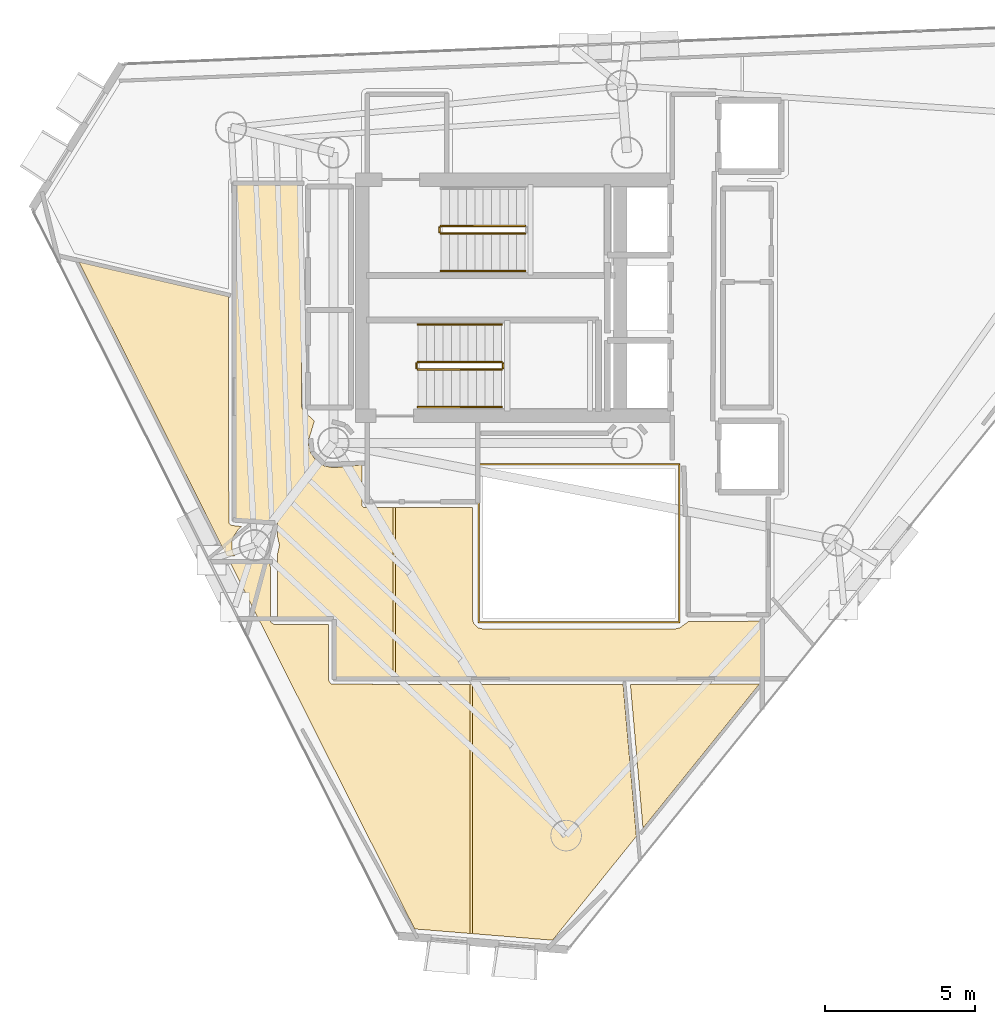
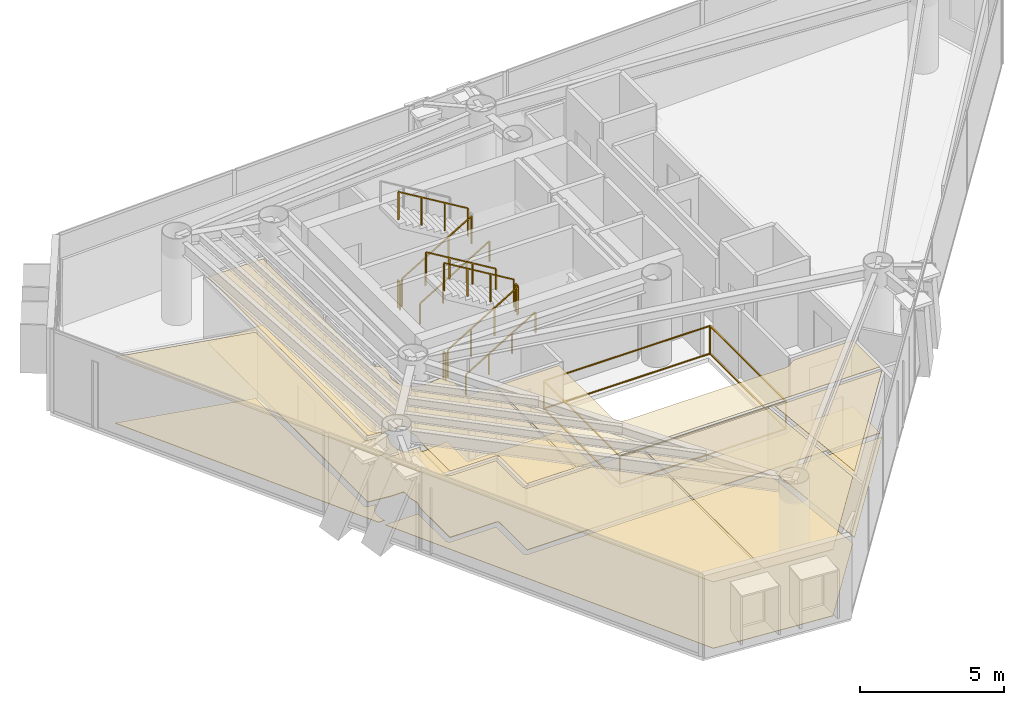
# One storey, part 17 of 19: 11 railings, 10 coverings.
"""IFC4 building model written with IfcOpenShell, lengths in metres."""

from ifc_helpers import new_model, si_unit, direction, frame, origin, origin_2d, place, context, subcontext, project, spatial, polyline, rectangle, outline, extrude, material, layer, layer_set, type_object, element, save


model = new_model("IFC4")

# Units and contexts
model_context = context("Model", 3, precision=1e-05, world=origin(), true_north=direction((0.0, 1.0)))
body_context = subcontext(model_context, "Body", "Model", "MODEL_VIEW")
ifc_project = project(units=[si_unit("LENGTHUNIT", "METRE"), si_unit("AREAUNIT", "SQUARE_METRE"), si_unit("VOLUMEUNIT", "CUBIC_METRE"), si_unit("PLANEANGLEUNIT", "RADIAN"), si_unit("MASSUNIT", "GRAM", prefix="KILO")], contexts=[model_context])

# Site, building, storey
site_placement = place(None, origin())
site = spatial("IfcSite", under=ifc_project, at=site_placement, CompositionType="ELEMENT")
building_placement = place(site_placement, origin())
building = spatial("IfcBuilding", under=site, at=building_placement, Name="Qianvela Tower", CompositionType="ELEMENT")
storey_placement = place(building_placement, frame((0.0, 0.0, 261.199951171875)))
storey = spatial("IfcBuildingStorey", under=building, at=storey_placement, Name="L67", CompositionType="ELEMENT", Elevation=261.199951171875)

# Coverings
ifc_material_1 = material(Name="Perforated Mineral Acoustic Ceiling Tile")
ifc_layer_1 = layer(ifc_material_1, 0.02490234375)
ifc_layer_set_1 = layer_set([ifc_layer_1], Name="Perforated Mineral Acoustic Ceiling Tile")
covering_type_1 = type_object("IfcCoveringType", Name="COV-CEIL-ACOUSTIC-25", PredefinedType="CEILING", material=ifc_layer_set_1)
covering_1_placement = place(storey_placement, frame((0.0, 0.0, 2.81494140625)))
element("IfcCovering", 1, at=covering_1_placement, inside=storey, type_object=covering_type_1, Name="L67 Acoustic Ceiling Bay 1 L67 Floor Corridor", PredefinedType="CEILING", context=body_context, shape_type="SweptSolid", body=[
    extrude(outline(polyline([(27.791015625, 24.010986328125), (27.789794921875, 24.003173828125), (27.775390625, 23.85791015625), (27.77490234375, 23.85009765625), (27.775390625, 23.84228515625), (27.776611328125, 23.83447265625), (27.833251953125, 23.54931640625), (27.835205078125, 23.541748046875), (27.837890625, 23.5341796875), (27.84130859375, 23.527099609375), (27.84521484375, 23.5205078125), (28.006591796875, 23.27880859375), (28.011474609375, 23.2724609375), (28.0166015625, 23.2666015625), (28.0224609375, 23.261474609375), (28.02880859375, 23.256591796875), (28.2705078125, 23.09521484375), (28.277099609375, 23.09130859375), (28.2841796875, 23.087890625), (28.291748046875, 23.085205078125), (28.29931640625, 23.083251953125), (28.58447265625, 23.026611328125), (28.59228515625, 23.025390625), (28.60009765625, 23.02490234375), (28.60791015625, 23.025390625), (29.55810546875, 23.118896484375), (29.55810546875, 21.780029296875), (29.558349609375, 21.772216796875), (29.5595703125, 21.764404296875), (29.561279296875, 21.7568359375), (29.564208984375, 21.74951171875), (29.5673828125, 21.7421875), (29.571533203125, 21.735595703125), (29.576171875, 21.729248046875), (29.581298828125, 21.723388671875), (29.587158203125, 21.71826171875), (29.593505859375, 21.71337890625), (29.600341796875, 21.70947265625), (29.607421875, 21.7060546875), (29.61474609375, 21.703369140625), (29.622314453125, 21.701416015625), (29.630126953125, 21.700439453125), (29.637939453125, 21.699951171875), (30.5888671875, 21.699951171875), (30.5888671875, 16.030029296875), (28.679931640625, 16.030029296875), (28.679931640625, 17.949951171875), (28.6796875, 17.957763671875), (28.678466796875, 17.965576171875), (28.676513671875, 17.97314453125), (28.673828125, 17.980712890625), (28.670654296875, 17.98779296875), (28.66650390625, 17.994384765625), (28.661865234375, 18.000732421875), (28.656494140625, 18.006591796875), (28.65087890625, 18.01171875), (28.644287109375, 18.0166015625), (28.6376953125, 18.0205078125), (28.630615234375, 18.02392578125), (28.623291015625, 18.026611328125), (28.615478515625, 18.028564453125), (28.60791015625, 18.029541015625), (28.60009765625, 18.030029296875), (26.72998046875, 18.030029296875), (26.72998046875, 20.123779296875), (26.795166015625, 20.419921875), (26.79638671875, 20.42822265625), (26.797119140625, 20.43701171875), (26.79638671875, 20.44580078125), (26.795166015625, 20.4541015625), (26.72998046875, 20.75), (26.72998046875, 21.14990234375), (26.7294921875, 21.15771484375), (26.728515625, 21.16552734375), (26.7265625, 21.173095703125), (26.723876953125, 21.1806640625), (26.720703125, 21.187744140625), (26.716552734375, 21.1943359375), (26.7119140625, 21.20068359375), (26.70654296875, 21.20654296875), (26.70068359375, 21.2119140625), (26.6943359375, 21.216552734375), (26.687744140625, 21.220703125), (26.6806640625, 21.223876953125), (26.673095703125, 21.2265625), (26.66552734375, 21.228515625), (26.65771484375, 21.2294921875), (26.64990234375, 21.22998046875), (26.18017578125, 21.22998046875), (25.330078125, 21.32470703125), (25.330078125, 32.469970703125), (27.5400390625, 32.469970703125), (27.5400390625, 25.066650390625), (27.540283203125, 25.05908203125), (27.54150390625, 25.051513671875), (27.543212890625, 25.044189453125), (27.545654296875, 25.037109375), (27.548583984375, 25.0302734375), (27.604736328125, 24.919921875), (27.6083984375, 24.91357421875), (27.612548828125, 24.90771484375), (27.6171875, 24.902099609375), (27.622314453125, 24.89697265625), (27.965087890625, 24.58642578125), (27.792724609375, 24.0185546875), (27.791015625, 24.010986328125)])), origin(), (0.0, 0.0, 1.0), 0.025146484375),
])
covering_2_placement = place(storey_placement, frame((0.0, 0.0, 2.81494140625)))
element("IfcCovering", 2, at=covering_2_placement, inside=storey, type_object=covering_type_1, Name="L67 Acoustic Ceiling Bay 2 L67 Floor Corridor", PredefinedType="CEILING", context=body_context, shape_type="SweptSolid", body=[
    extrude(outline(polyline([(33.239990234375, 21.699951171875), (33.239990234375, 18.0), (33.240478515625, 17.990234375), (33.242431640625, 17.980712890625), (33.275390625, 17.8486328125), (33.277587890625, 17.841796875), (33.2802734375, 17.8349609375), (33.283447265625, 17.82861328125), (33.287353515625, 17.822509765625), (33.29150390625, 17.81689453125), (33.29638671875, 17.811279296875), (33.411376953125, 17.696533203125), (33.41796875, 17.690673828125), (33.4248046875, 17.685791015625), (33.432373046875, 17.681396484375), (33.440185546875, 17.677978515625), (33.448486328125, 17.675537109375), (33.58056640625, 17.642333984375), (33.5869140625, 17.64111328125), (33.593505859375, 17.640380859375), (33.60009765625, 17.639892578125), (40.0, 17.639892578125), (40.006591796875, 17.640380859375), (40.012939453125, 17.64111328125), (40.019287109375, 17.642333984375), (40.1513671875, 17.675537109375), (40.15869140625, 17.677734375), (40.166015625, 17.6806640625), (40.172607421875, 17.68408203125), (40.17919921875, 17.6884765625), (40.459228515625, 17.89306640625), (42.8701171875, 17.89990234375), (42.8701171875, 16.030029296875), (30.6689453125, 16.030029296875), (30.6689453125, 21.699951171875), (33.239990234375, 21.699951171875)])), origin(), (0.0, 0.0, 1.0), 0.025146484375),
])
covering_3_placement = place(storey_placement, frame((0.0, 0.0, 2.81494140625)))
element("IfcCovering", 3, at=covering_3_placement, inside=storey, type_object=covering_type_1, Name="L67 Acoustic Ceiling Project Huddle Conference L67-01", PredefinedType="CEILING", context=body_context, shape_type="SweptSolid", body=[
    extrude(outline(polyline([(25.531494140625, 21.060791015625), (25.43701171875, 20.983154296875), (25.43115234375, 20.977783203125), (25.42578125, 20.97216796875), (25.421142578125, 20.9658203125), (25.272705078125, 20.74365234375), (25.2685546875, 20.73681640625), (25.26513671875, 20.729736328125), (25.2626953125, 20.722412109375), (25.2236328125, 20.593994140625), (25.2216796875, 20.586181640625), (25.220458984375, 20.57861328125), (25.22021484375, 20.570556640625), (25.22021484375, 20.303466796875), (25.220458984375, 20.29541015625), (25.2216796875, 20.287841796875), (25.2236328125, 20.280029296875), (25.2626953125, 20.151611328125), (25.264892578125, 20.14501953125), (25.267822265625, 20.138427734375), (25.271484375, 20.13232421875), (25.3046875, 20.079345703125), (25.042724609375, 20.079345703125), (20.103515625, 29.89111328125), (25.090087890625, 28.73974609375), (25.10791015625, 21.202392578125), (25.1083984375, 21.19482421875), (25.109375, 21.18701171875), (25.111328125, 21.1796875), (25.114013671875, 21.17236328125), (25.1171875, 21.165283203125), (25.12109375, 21.15869140625), (25.125732421875, 21.15234375), (25.130859375, 21.146484375), (25.13671875, 21.141357421875), (25.142822265625, 21.13671875), (25.1494140625, 21.132568359375), (25.202880859375, 21.103515625), (25.209716796875, 21.10009765625), (25.217041015625, 21.097412109375), (25.224609375, 21.09521484375), (25.232421875, 21.093994140625), (25.531494140625, 21.060791015625)])), origin(), (0.0, 0.0, 1.0), 0.025146484375),
])
covering_4_placement = place(storey_placement, frame((0.0, 0.0, 2.81494140625)))
element("IfcCovering", 4, at=covering_4_placement, inside=storey, type_object=covering_type_1, Name="L67 Acoustic Ceiling Bay 1 Debate Lecture Classroom L67-02", PredefinedType="CEILING", context=body_context, shape_type="SweptSolid", body=[
    extrude(outline(polyline([(26.6123046875, 17.79931640625), (26.619384765625, 17.796142578125), (26.626708984375, 17.79345703125), (26.634521484375, 17.79150390625), (26.64208984375, 17.790283203125), (26.64990234375, 17.7900390625), (28.43994140625, 17.7900390625), (28.43994140625, 15.949951171875), (28.4404296875, 15.942138671875), (28.44140625, 15.934326171875), (28.443359375, 15.9267578125), (28.446044921875, 15.91943359375), (28.449462890625, 15.912353515625), (28.45361328125, 15.905517578125), (28.5029296875, 15.83154296875), (28.507568359375, 15.8251953125), (28.5126953125, 15.819580078125), (28.5185546875, 15.814208984375), (28.52490234375, 15.8095703125), (28.53173828125, 15.805419921875), (28.538818359375, 15.80224609375), (28.546142578125, 15.799560546875), (28.5537109375, 15.797607421875), (28.5615234375, 15.79638671875), (28.5693359375, 15.796142578125), (33.163330078125, 15.793212890625), (33.163330078125, 7.473876953125), (31.31201171875, 7.625), (25.16552734375, 19.835205078125), (26.49072265625, 19.835205078125), (26.49609375, 17.919189453125), (26.49658203125, 17.911376953125), (26.497802734375, 17.903564453125), (26.49951171875, 17.89599609375), (26.502197265625, 17.888671875), (26.505615234375, 17.881591796875), (26.509521484375, 17.875), (26.514404296875, 17.86865234375), (26.51953125, 17.86279296875), (26.525390625, 17.857421875), (26.531494140625, 17.852783203125), (26.605712890625, 17.803466796875), (26.6123046875, 17.79931640625)])), origin(), (0.0, 0.0, 1.0), 0.025146484375),
])
covering_5_placement = place(storey_placement, frame((0.0, 0.0, 2.81494140625)))
element("IfcCovering", 5, at=covering_5_placement, inside=storey, type_object=covering_type_1, Name="L67 Acoustic Ceiling Bay 2 Debate Lecture Classroom L67-02", PredefinedType="CEILING", context=body_context, shape_type="SweptSolid", body=[
    extrude(outline(polyline([(38.270751953125, 15.7900390625), (38.714599609375, 10.716796875), (35.9140625, 7.24951171875), (33.243408203125, 7.46728515625), (33.243408203125, 15.793212890625), (38.270751953125, 15.7900390625)])), origin(), (0.0, 0.0, 1.0), 0.025146484375),
])
covering_6_placement = place(storey_placement, frame((0.0, 0.0, 2.81494140625)))
element("IfcCovering", 6, at=covering_6_placement, inside=storey, type_object=covering_type_1, Name="L67 Acoustic Ceiling Graduate Seminar Classroom L67-03", PredefinedType="CEILING", context=body_context, shape_type="SweptSolid", body=[
    extrude(outline(polyline([(42.819091796875, 15.798583984375), (38.935546875, 10.990478515625), (38.515625, 15.790283203125), (42.819091796875, 15.798583984375)])), origin(), (0.0, 0.0, 1.0), 0.025146484375),
])
ifc_material_2 = material(Name="Engineered Acoustic Oak Timber Flooring", Category="wood")
ifc_layer_2 = layer(ifc_material_2, 0.02001953125)
ifc_layer_set_2 = layer_set([ifc_layer_2], Name="Engineered Acoustic Oak Timber Flooring")
covering_type_2 = type_object("IfcCoveringType", Name="COV-FLOOR-OAK-20", PredefinedType="FLOORING", material=ifc_layer_set_2)
covering_7_placement = place(storey_placement, origin())
element("IfcCovering", 7, at=covering_7_placement, inside=storey, type_object=covering_type_2, Name="L67 Finish Flooring Project Huddle Conference L67-01", PredefinedType="FLOORING", context=body_context, shape_type="SweptSolid", body=[
    extrude(outline(polyline([(25.531494140625, 21.060791015625), (25.43701171875, 20.983154296875), (25.43115234375, 20.977783203125), (25.42578125, 20.97216796875), (25.421142578125, 20.9658203125), (25.272705078125, 20.74365234375), (25.2685546875, 20.73681640625), (25.26513671875, 20.729736328125), (25.2626953125, 20.722412109375), (25.2236328125, 20.593994140625), (25.2216796875, 20.586181640625), (25.220458984375, 20.57861328125), (25.22021484375, 20.570556640625), (25.22021484375, 20.303466796875), (25.220458984375, 20.29541015625), (25.2216796875, 20.287841796875), (25.2236328125, 20.280029296875), (25.2626953125, 20.151611328125), (25.264892578125, 20.14501953125), (25.267822265625, 20.138427734375), (25.271484375, 20.13232421875), (25.3046875, 20.079345703125), (25.042724609375, 20.079345703125), (20.103515625, 29.89111328125), (25.090087890625, 28.73974609375), (25.10791015625, 21.202392578125), (25.1083984375, 21.19482421875), (25.109375, 21.18701171875), (25.111328125, 21.1796875), (25.114013671875, 21.17236328125), (25.1171875, 21.165283203125), (25.12109375, 21.15869140625), (25.125732421875, 21.15234375), (25.130859375, 21.146484375), (25.13671875, 21.141357421875), (25.142822265625, 21.13671875), (25.1494140625, 21.132568359375), (25.202880859375, 21.103515625), (25.209716796875, 21.10009765625), (25.217041015625, 21.097412109375), (25.224609375, 21.09521484375), (25.232421875, 21.093994140625), (25.531494140625, 21.060791015625)])), origin(), (0.0, 0.0, 1.0), 0.02001953125),
])
covering_8_placement = place(storey_placement, origin())
element("IfcCovering", 8, at=covering_8_placement, inside=storey, type_object=covering_type_2, Name="L67 Finish Flooring Debate Lecture Classroom L67-02", PredefinedType="FLOORING", context=body_context, shape_type="SweptSolid", body=[
    extrude(outline(polyline([(26.605712890625, 17.803466796875), (26.6123046875, 17.79931640625), (26.619384765625, 17.796142578125), (26.626708984375, 17.79345703125), (26.634521484375, 17.79150390625), (26.64208984375, 17.790283203125), (26.64990234375, 17.7900390625), (28.43994140625, 17.7900390625), (28.43994140625, 15.949951171875), (28.4404296875, 15.942138671875), (28.44140625, 15.934326171875), (28.443359375, 15.9267578125), (28.446044921875, 15.91943359375), (28.449462890625, 15.912353515625), (28.45361328125, 15.905517578125), (28.5029296875, 15.83154296875), (28.507568359375, 15.8251953125), (28.5126953125, 15.819580078125), (28.5185546875, 15.814208984375), (28.52490234375, 15.8095703125), (28.53173828125, 15.805419921875), (28.538818359375, 15.80224609375), (28.546142578125, 15.799560546875), (28.5537109375, 15.797607421875), (28.5615234375, 15.79638671875), (28.5693359375, 15.796142578125), (38.270751953125, 15.7900390625), (38.714599609375, 10.716796875), (35.9140625, 7.24951171875), (31.31201171875, 7.625), (25.16552734375, 19.835205078125), (26.49072265625, 19.835205078125), (26.49609375, 17.919189453125), (26.49658203125, 17.911376953125), (26.497802734375, 17.903564453125), (26.49951171875, 17.89599609375), (26.502197265625, 17.888671875), (26.505615234375, 17.881591796875), (26.509521484375, 17.875), (26.514404296875, 17.86865234375), (26.51953125, 17.86279296875), (26.525390625, 17.857421875), (26.531494140625, 17.852783203125), (26.605712890625, 17.803466796875)])), origin(), (0.0, 0.0, 1.0), 0.02001953125),
])
covering_9_placement = place(storey_placement, origin())
element("IfcCovering", 9, at=covering_9_placement, inside=storey, type_object=covering_type_2, Name="L67 Finish Flooring Graduate Seminar Classroom L67-03", PredefinedType="FLOORING", context=body_context, shape_type="SweptSolid", body=[
    extrude(outline(polyline([(42.819091796875, 15.798583984375), (38.935546875, 10.990478515625), (38.515625, 15.790283203125), (42.819091796875, 15.798583984375)])), origin(), (0.0, 0.0, 1.0), 0.02001953125),
])
ifc_material_3 = material(Name="Honed Stone Terrazzo Flooring", Category="masonry")
ifc_layer_3 = layer(ifc_material_3, 0.030029296875)
ifc_layer_set_3 = layer_set([ifc_layer_3], Name="Honed Stone Terrazzo Flooring")
covering_type_3 = type_object("IfcCoveringType", Name="COV-FLOOR-TERRAZZO-30", PredefinedType="FLOORING", material=ifc_layer_set_3)
covering_10_placement = place(storey_placement, origin())
element("IfcCovering", 10, at=covering_10_placement, inside=storey, type_object=covering_type_3, Name="L67 Finish Flooring L67 Floor Corridor", PredefinedType="FLOORING", context=body_context, shape_type="SweptSolid", body=[
    extrude(outline(polyline([(27.792724609375, 24.0185546875), (27.791015625, 24.010986328125), (27.789794921875, 24.003173828125), (27.775390625, 23.85791015625), (27.77490234375, 23.85009765625), (27.775390625, 23.84228515625), (27.776611328125, 23.83447265625), (27.833251953125, 23.54931640625), (27.835205078125, 23.541748046875), (27.837890625, 23.5341796875), (27.84130859375, 23.527099609375), (27.84521484375, 23.5205078125), (28.006591796875, 23.27880859375), (28.011474609375, 23.2724609375), (28.0166015625, 23.2666015625), (28.0224609375, 23.261474609375), (28.02880859375, 23.256591796875), (28.2705078125, 23.09521484375), (28.277099609375, 23.09130859375), (28.2841796875, 23.087890625), (28.291748046875, 23.085205078125), (28.29931640625, 23.083251953125), (28.58447265625, 23.026611328125), (28.59228515625, 23.025390625), (28.60009765625, 23.02490234375), (28.60791015625, 23.025390625), (29.55810546875, 23.118896484375), (29.55810546875, 21.780029296875), (29.558349609375, 21.772216796875), (29.5595703125, 21.764404296875), (29.561279296875, 21.7568359375), (29.564208984375, 21.74951171875), (29.5673828125, 21.7421875), (29.571533203125, 21.735595703125), (29.576171875, 21.729248046875), (29.581298828125, 21.723388671875), (29.587158203125, 21.71826171875), (29.593505859375, 21.71337890625), (29.600341796875, 21.70947265625), (29.607421875, 21.7060546875), (29.61474609375, 21.703369140625), (29.622314453125, 21.701416015625), (29.630126953125, 21.700439453125), (29.637939453125, 21.699951171875), (33.239990234375, 21.699951171875), (33.239990234375, 18.0), (33.240478515625, 17.990234375), (33.242431640625, 17.980712890625), (33.275390625, 17.8486328125), (33.277587890625, 17.841796875), (33.2802734375, 17.8349609375), (33.283447265625, 17.82861328125), (33.287353515625, 17.822509765625), (33.29150390625, 17.81689453125), (33.29638671875, 17.811279296875), (33.411376953125, 17.696533203125), (33.41796875, 17.690673828125), (33.4248046875, 17.685791015625), (33.432373046875, 17.681396484375), (33.440185546875, 17.677978515625), (33.448486328125, 17.675537109375), (33.58056640625, 17.642333984375), (33.5869140625, 17.64111328125), (33.593505859375, 17.640380859375), (33.60009765625, 17.639892578125), (40.0, 17.639892578125), (40.006591796875, 17.640380859375), (40.012939453125, 17.64111328125), (40.019287109375, 17.642333984375), (40.1513671875, 17.675537109375), (40.15869140625, 17.677734375), (40.166015625, 17.6806640625), (40.172607421875, 17.68408203125), (40.17919921875, 17.6884765625), (40.459228515625, 17.89306640625), (42.8701171875, 17.89990234375), (42.8701171875, 16.030029296875), (28.679931640625, 16.030029296875), (28.679931640625, 17.949951171875), (28.6796875, 17.957763671875), (28.678466796875, 17.965576171875), (28.676513671875, 17.97314453125), (28.673828125, 17.980712890625), (28.670654296875, 17.98779296875), (28.66650390625, 17.994384765625), (28.661865234375, 18.000732421875), (28.656494140625, 18.006591796875), (28.65087890625, 18.01171875), (28.644287109375, 18.0166015625), (28.6376953125, 18.0205078125), (28.630615234375, 18.02392578125), (28.623291015625, 18.026611328125), (28.615478515625, 18.028564453125), (28.60791015625, 18.029541015625), (28.60009765625, 18.030029296875), (26.72998046875, 18.030029296875), (26.72998046875, 20.123779296875), (26.795166015625, 20.419921875), (26.79638671875, 20.42822265625), (26.797119140625, 20.43701171875), (26.79638671875, 20.44580078125), (26.795166015625, 20.4541015625), (26.72998046875, 20.75), (26.72998046875, 21.14990234375), (26.7294921875, 21.15771484375), (26.728515625, 21.16552734375), (26.7265625, 21.173095703125), (26.723876953125, 21.1806640625), (26.720703125, 21.187744140625), (26.716552734375, 21.1943359375), (26.7119140625, 21.20068359375), (26.70654296875, 21.20654296875), (26.70068359375, 21.2119140625), (26.6943359375, 21.216552734375), (26.687744140625, 21.220703125), (26.6806640625, 21.223876953125), (26.673095703125, 21.2265625), (26.66552734375, 21.228515625), (26.65771484375, 21.2294921875), (26.64990234375, 21.22998046875), (26.18017578125, 21.22998046875), (25.330078125, 21.32470703125), (25.330078125, 32.469970703125), (27.5400390625, 32.469970703125), (27.5400390625, 25.066650390625), (27.540283203125, 25.05908203125), (27.54150390625, 25.051513671875), (27.543212890625, 25.044189453125), (27.545654296875, 25.037109375), (27.548583984375, 25.0302734375), (27.604736328125, 24.919921875), (27.6083984375, 24.91357421875), (27.612548828125, 24.90771484375), (27.6171875, 24.902099609375), (27.622314453125, 24.89697265625), (27.965087890625, 24.58642578125), (27.792724609375, 24.0185546875)])), origin(), (0.0, 0.0, 1.0), 0.030029296875),
])

# Railings
ifc_material_4 = material(Name="Laminated Safety Glass and Stainless Steel 316", Category="steel")
railing_type_1 = type_object("IfcRailingType", Name="RL-ATRIUM-GUARD-1250", PredefinedType="GUARDRAIL", material=ifc_material_4)
railing_1_placement = place(storey_placement, frame((33.4599609375, 17.860107421875, 0.0)))
element("IfcRailing", 11, at=railing_1_placement, inside=storey, type_object=railing_type_1, Name="L67 Atrium Edge Guardrail 1", PredefinedType="GUARDRAIL", context=body_context, shape_type="SweptSolid", body=[
    extrude(rectangle(XDim=0.050048828125, YDim=0.0400390625, at=origin_2d()), frame((0.0, 0.0, 1.22998046875), z_axis=(0.0, 1.0, 0.0), x_axis=(-1.0, 0.0, 0.0)), (0.0, 0.0, 1.0), 5.27978515625),
    extrude(rectangle(XDim=0.050048828125, YDim=0.0400390625, at=origin_2d()), frame((0.0, 0.0, 0.050048828125), z_axis=(0.0, 1.0, 0.0), x_axis=(-1.0, 0.0, 0.0)), (0.0, 0.0, 1.0), 5.27978515625),
    extrude(rectangle(XDim=0.050048828125, YDim=0.0400390625, at=origin_2d()), frame((0.0, 5.27978515625, 1.22998046875), z_axis=(1.0, 0.0, 0.0), x_axis=(0.0, 1.0, 0.0)), (0.0, 0.0, 1.0), 6.679931640625),
    extrude(rectangle(XDim=0.050048828125, YDim=0.0400390625, at=origin_2d()), frame((0.0, 5.27978515625, 0.050048828125), z_axis=(1.0, 0.0, 0.0), x_axis=(0.0, 1.0, 0.0)), (0.0, 0.0, 1.0), 6.679931640625),
    extrude(rectangle(XDim=0.050048828125, YDim=0.0400390625, at=origin_2d()), frame((6.679931640625, 5.27978515625, 1.22998046875), z_axis=(0.0, -1.0, 0.0), x_axis=(1.0, 0.0, 0.0)), (0.0, 0.0, 1.0), 5.27978515625),
    extrude(rectangle(XDim=0.050048828125, YDim=0.0400390625, at=origin_2d()), frame((6.679931640625, 5.27978515625, 0.050048828125), z_axis=(0.0, -1.0, 0.0), x_axis=(1.0, 0.0, 0.0)), (0.0, 0.0, 1.0), 5.27978515625),
    extrude(rectangle(XDim=0.050048828125, YDim=0.0400390625, at=origin_2d()), frame((6.679931640625, 0.0, 1.22998046875), z_axis=(-1.0, 0.0, 0.0), x_axis=(0.0, -1.0, 0.0)), (0.0, 0.0, 1.0), 6.679931640625),
    extrude(rectangle(XDim=0.050048828125, YDim=0.0400390625, at=origin_2d()), frame((6.679931640625, 0.0, 0.050048828125), z_axis=(-1.0, 0.0, 0.0), x_axis=(0.0, -1.0, 0.0)), (0.0, 0.0, 1.0), 6.679931640625),
    extrude(rectangle(XDim=0.050048828125, YDim=0.050048828125, at=origin_2d()), origin(), (0.0, 0.0, 1.0), 1.2099609375),
    extrude(rectangle(XDim=0.050048828125, YDim=0.050048828125, at=origin_2d()), frame((0.0, 5.27978515625, 0.0)), (0.0, 0.0, 1.0), 1.2099609375),
    extrude(rectangle(XDim=0.050048828125, YDim=0.050048828125, at=origin_2d()), frame((6.679931640625, 5.27978515625, 0.0)), (0.0, 0.0, 1.0), 1.2099609375),
    extrude(rectangle(XDim=0.050048828125, YDim=0.050048828125, at=origin_2d()), frame((6.679931640625, 0.0, 0.0)), (0.0, 0.0, 1.0), 1.2099609375),
])
ifc_material_5 = material(Name="Painted Tubular Steel Q355B", Category="steel")
railing_type_2 = type_object("IfcRailingType", Name="RL-STAIR-GUARD-1200", PredefinedType="GUARDRAIL", material=ifc_material_5)
railing_2_placement = place(storey_placement, frame((32.199951171875, 30.840087890625, 0.168212890625)))
element("IfcRailing", 12, at=railing_2_placement, inside=storey, type_object=railing_type_2, Name="L67 ST-1 stair guard 1", PredefinedType="GUARDRAIL", context=body_context, shape_type="SweptSolid", body=[
    extrude(rectangle(XDim=0.050048828125, YDim=0.0400390625, at=origin_2d()), frame((0.0, 0.0, 1.179931640625), z_axis=(0.857242210791, 0.0, 0.514913383045), x_axis=(0.0, 1.0, 0.0)), (0.0, 0.0, 1.0), 3.266357421875),
    extrude(rectangle(XDim=0.050048828125, YDim=0.050048828125, at=origin_2d()), origin(), (0.0, 0.0, 1.0), 1.159912109375),
    extrude(rectangle(XDim=0.050048828125, YDim=0.050048828125, at=origin_2d()), frame((0.933349609375, 0.0, 0.560546875)), (0.0, 0.0, 1.0), 1.159912109375),
    extrude(rectangle(XDim=0.050048828125, YDim=0.050048828125, at=origin_2d()), frame((1.86669921875, 0.0, 1.121337890625)), (0.0, 0.0, 1.0), 1.159912109375),
    extrude(rectangle(XDim=0.050048828125, YDim=0.050048828125, at=origin_2d()), frame((2.800048828125, 0.0, 1.681884765625)), (0.0, 0.0, 1.0), 1.159912109375),
])
railing_3_placement = place(storey_placement, frame((35.0, 31.10009765625, 2.018310546875)))
element("IfcRailing", 13, at=railing_3_placement, inside=storey, type_object=railing_type_2, Name="L67 ST-1 stair guard 3", PredefinedType="GUARDRAIL", context=body_context, shape_type="SweptSolid", body=[
    extrude(rectangle(XDim=0.050048828125, YDim=0.0400390625, at=origin_2d()), frame((0.0, 0.0, 1.179931640625), z_axis=(-0.857275202839, 0.0, 0.514858452973), x_axis=(0.0, -1.0, 0.0)), (0.0, 0.0, 1.0), 3.26611328125),
    extrude(rectangle(XDim=0.050048828125, YDim=0.050048828125, at=origin_2d()), origin(), (0.0, 0.0, 1.0), 1.159912109375),
    extrude(rectangle(XDim=0.050048828125, YDim=0.050048828125, at=origin_2d()), frame((-0.933349609375, 0.0, 0.560546875)), (0.0, 0.0, 1.0), 1.159912109375),
    extrude(rectangle(XDim=0.050048828125, YDim=0.050048828125, at=origin_2d()), frame((-1.86669921875, 0.0, 1.12109375)), (0.0, 0.0, 1.0), 1.159912109375),
    extrude(rectangle(XDim=0.050048828125, YDim=0.050048828125, at=origin_2d()), frame((-2.800048828125, 0.0, 1.681640625)), (0.0, 0.0, 1.0), 1.159912109375),
])
railing_4_placement = place(storey_placement, frame((32.14990234375, 30.889892578125, 0.0)))
element("IfcRailing", 14, at=railing_4_placement, inside=storey, type_object=railing_type_2, Name="L67 ST-1 stair guard 4", PredefinedType="GUARDRAIL", context=body_context, shape_type="SweptSolid", body=[
    extrude(rectangle(XDim=0.050048828125, YDim=0.0400390625, at=origin_2d()), frame((0.0, 0.0, 1.179931640625), z_axis=(0.0, 1.0, 0.0), x_axis=(-1.0, 0.0, 0.0)), (0.0, 0.0, 1.0), 0.16015625),
    extrude(rectangle(XDim=0.050048828125, YDim=0.050048828125, at=origin_2d()), origin(), (0.0, 0.0, 1.0), 1.159912109375),
    extrude(rectangle(XDim=0.050048828125, YDim=0.050048828125, at=origin_2d()), frame((0.0, 0.16015625, 0.0)), (0.0, 0.0, 1.0), 1.159912109375),
])
railing_5_placement = place(storey_placement, frame((31.419921875, 26.300048828125, 0.168212890625)))
element("IfcRailing", 15, at=railing_5_placement, inside=storey, type_object=railing_type_2, Name="L67 ST-2 stair guard 1", PredefinedType="GUARDRAIL", context=body_context, shape_type="SweptSolid", body=[
    extrude(rectangle(XDim=0.050048828125, YDim=0.0400390625, at=origin_2d()), frame((0.0, 0.0, 1.179931640625), z_axis=(0.857242210791, 0.0, 0.514913383045), x_axis=(0.0, 1.0, 0.0)), (0.0, 0.0, 1.0), 3.266357421875),
    extrude(rectangle(XDim=0.050048828125, YDim=0.050048828125, at=origin_2d()), origin(), (0.0, 0.0, 1.0), 1.159912109375),
    extrude(rectangle(XDim=0.050048828125, YDim=0.050048828125, at=origin_2d()), frame((0.933349609375, 0.0, 0.560546875)), (0.0, 0.0, 1.0), 1.159912109375),
    extrude(rectangle(XDim=0.050048828125, YDim=0.050048828125, at=origin_2d()), frame((1.86669921875, 0.0, 1.121337890625)), (0.0, 0.0, 1.0), 1.159912109375),
    extrude(rectangle(XDim=0.050048828125, YDim=0.050048828125, at=origin_2d()), frame((2.800048828125, 0.0, 1.681884765625)), (0.0, 0.0, 1.0), 1.159912109375),
])
railing_6_placement = place(storey_placement, frame((34.27001953125, 26.35009765625, 1.85009765625)))
element("IfcRailing", 16, at=railing_6_placement, inside=storey, type_object=railing_type_2, Name="L67 ST-2 stair guard 2", PredefinedType="GUARDRAIL", context=body_context, shape_type="SweptSolid", body=[
    extrude(rectangle(XDim=0.050048828125, YDim=0.0400390625, at=origin_2d()), frame((0.0, 0.0, 1.179931640625), z_axis=(0.0, 1.0, 0.0), x_axis=(-1.0, 0.0, 0.0)), (0.0, 0.0, 1.0), 0.159912109375),
    extrude(rectangle(XDim=0.050048828125, YDim=0.050048828125, at=origin_2d()), origin(), (0.0, 0.0, 1.0), 1.159912109375),
    extrude(rectangle(XDim=0.050048828125, YDim=0.050048828125, at=origin_2d()), frame((0.0, 0.159912109375, 0.0)), (0.0, 0.0, 1.0), 1.159912109375),
])
railing_7_placement = place(storey_placement, frame((34.219970703125, 26.56005859375, 2.018310546875)))
element("IfcRailing", 17, at=railing_7_placement, inside=storey, type_object=railing_type_2, Name="L67 ST-2 stair guard 3", PredefinedType="GUARDRAIL", context=body_context, shape_type="SweptSolid", body=[
    extrude(rectangle(XDim=0.050048828125, YDim=0.0400390625, at=origin_2d()), frame((0.0, 0.0, 1.179931640625), z_axis=(-0.857275202839, 0.0, 0.514858452973), x_axis=(0.0, -1.0, 0.0)), (0.0, 0.0, 1.0), 3.26611328125),
    extrude(rectangle(XDim=0.050048828125, YDim=0.050048828125, at=origin_2d()), origin(), (0.0, 0.0, 1.0), 1.159912109375),
    extrude(rectangle(XDim=0.050048828125, YDim=0.050048828125, at=origin_2d()), frame((-0.933349609375, 0.0, 0.560546875)), (0.0, 0.0, 1.0), 1.159912109375),
    extrude(rectangle(XDim=0.050048828125, YDim=0.050048828125, at=origin_2d()), frame((-1.86669921875, 0.0, 1.12109375)), (0.0, 0.0, 1.0), 1.159912109375),
    extrude(rectangle(XDim=0.050048828125, YDim=0.050048828125, at=origin_2d()), frame((-2.800048828125, 0.0, 1.681640625)), (0.0, 0.0, 1.0), 1.159912109375),
])
railing_8_placement = place(storey_placement, frame((31.3701171875, 26.35009765625, 0.0)))
element("IfcRailing", 18, at=railing_8_placement, inside=storey, type_object=railing_type_2, Name="L67 ST-2 stair guard 4", PredefinedType="GUARDRAIL", context=body_context, shape_type="SweptSolid", body=[
    extrude(rectangle(XDim=0.050048828125, YDim=0.0400390625, at=origin_2d()), frame((0.0, 0.0, 1.179931640625), z_axis=(0.0, 1.0, 0.0), x_axis=(-1.0, 0.0, 0.0)), (0.0, 0.0, 1.0), 0.159912109375),
    extrude(rectangle(XDim=0.050048828125, YDim=0.050048828125, at=origin_2d()), origin(), (0.0, 0.0, 1.0), 1.159912109375),
    extrude(rectangle(XDim=0.050048828125, YDim=0.050048828125, at=origin_2d()), frame((0.0, 0.159912109375, 0.0)), (0.0, 0.0, 1.0), 1.159912109375),
])
ifc_material_6 = material(Name="Brushed Stainless Steel 304", Category="steel")
railing_type_3 = type_object("IfcRailingType", Name="RL-STAIR-HANDRAIL-900", PredefinedType="HANDRAIL", material=ifc_material_6)
for number, where, name in (
    (19, (32.199951171875, 29.590087890625, 0.168212890625), "L67 ST-1 stair handrail 1"),
    (20, (31.419921875, 25.050048828125, 0.168212890625), "L67 ST-2 stair handrail 1"),
):
    element("IfcRailing", number, at=place(storey_placement, frame(where)), inside=storey, type_object=railing_type_3, Name=name, PredefinedType="HANDRAIL", context=body_context, shape_type="SweptSolid", body=[
        extrude(rectangle(XDim=0.050048828125, YDim=0.0400390625, at=origin_2d()), frame((0.0, 0.0, 0.8798828125), z_axis=(0.857242210791, 0.0, 0.514913383045), x_axis=(0.0, 1.0, 0.0)), (0.0, 0.0, 1.0), 3.266357421875),
        extrude(rectangle(XDim=0.050048828125, YDim=0.050048828125, at=origin_2d()), origin(), (0.0, 0.0, 1.0), 0.85986328125),
        extrude(rectangle(XDim=0.050048828125, YDim=0.050048828125, at=origin_2d()), frame((0.933349609375, 0.0, 0.560546875)), (0.0, 0.0, 1.0), 0.85986328125),
        extrude(rectangle(XDim=0.050048828125, YDim=0.050048828125, at=origin_2d()), frame((1.86669921875, 0.0, 1.121337890625)), (0.0, 0.0, 1.0), 0.85986328125),
        extrude(rectangle(XDim=0.050048828125, YDim=0.050048828125, at=origin_2d()), frame((2.800048828125, 0.0, 1.681884765625)), (0.0, 0.0, 1.0), 0.85986328125),
    ])
railing_9_placement = place(storey_placement, frame((34.219970703125, 27.81005859375, 2.018310546875)))
element("IfcRailing", 21, at=railing_9_placement, inside=storey, type_object=railing_type_3, Name="L67 ST-2 stair handrail 2", PredefinedType="HANDRAIL", context=body_context, shape_type="SweptSolid", body=[
    extrude(rectangle(XDim=0.050048828125, YDim=0.0400390625, at=origin_2d()), frame((0.0, 0.0, 0.8798828125), z_axis=(-0.857275202839, 0.0, 0.514858452973), x_axis=(0.0, -1.0, 0.0)), (0.0, 0.0, 1.0), 3.26611328125),
    extrude(rectangle(XDim=0.050048828125, YDim=0.050048828125, at=origin_2d()), origin(), (0.0, 0.0, 1.0), 0.85986328125),
    extrude(rectangle(XDim=0.050048828125, YDim=0.050048828125, at=origin_2d()), frame((-0.933349609375, 0.0, 0.560546875)), (0.0, 0.0, 1.0), 0.85986328125),
    extrude(rectangle(XDim=0.050048828125, YDim=0.050048828125, at=origin_2d()), frame((-1.86669921875, 0.0, 1.12109375)), (0.0, 0.0, 1.0), 0.85986328125),
    extrude(rectangle(XDim=0.050048828125, YDim=0.050048828125, at=origin_2d()), frame((-2.800048828125, 0.0, 1.681640625)), (0.0, 0.0, 1.0), 0.85986328125),
])

save(model, "model.ifc")
